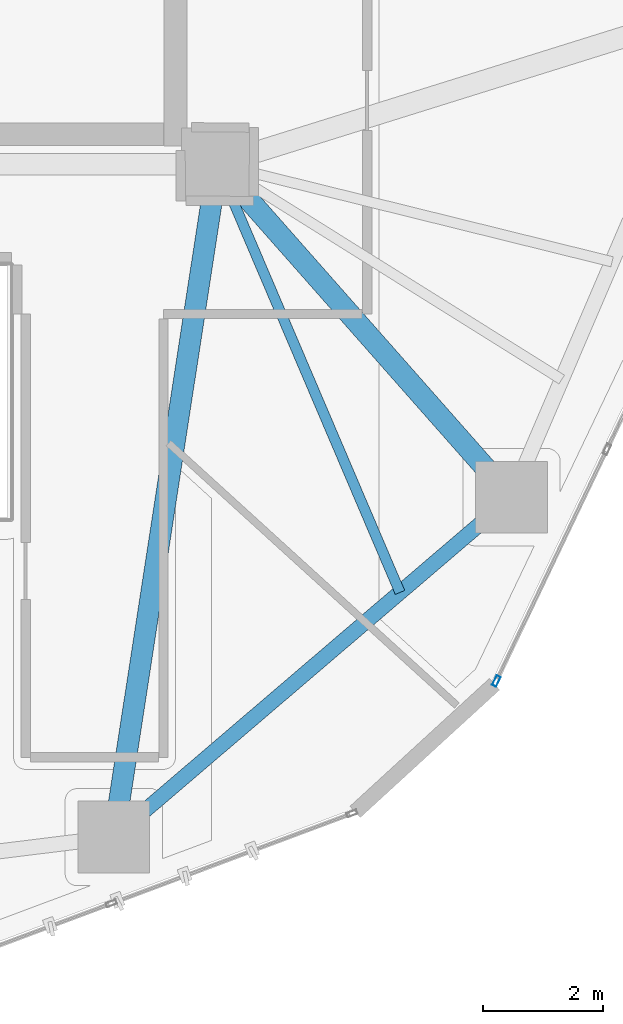
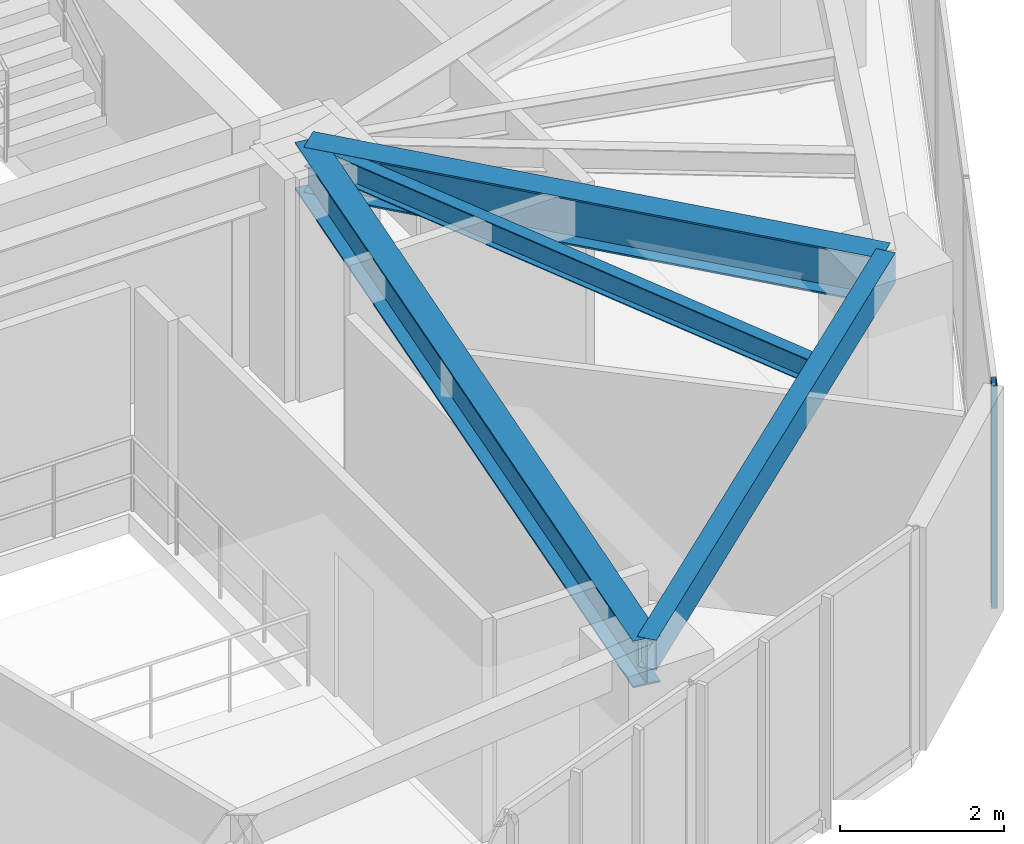
# One storey, part 6 of 22: 4 beams, 1 member, 1 element without a shape of its own.
"""IFC4 building model written with IfcOpenShell, lengths in metres."""

from ifc_helpers import new_model, si_unit, direction, frame, origin, origin_2d, place, context, subcontext, project, spatial, hollow_rectangle, i_section, extrude, source, transform, mapped, material, layer, layer_set, material_profile, profile_set, type_object, type_shapes, element, aggregate, save


model = new_model("IFC4")

# Units and contexts
model_context = context("Model", 3, precision=1e-05, world=origin(), true_north=direction((0.0, 1.0)))
body_context = subcontext(model_context, "Body", "Model", "MODEL_VIEW")
ifc_project = project(units=[si_unit("LENGTHUNIT", "METRE"), si_unit("AREAUNIT", "SQUARE_METRE"), si_unit("VOLUMEUNIT", "CUBIC_METRE"), si_unit("PLANEANGLEUNIT", "RADIAN"), si_unit("MASSUNIT", "GRAM", prefix="KILO")], contexts=[model_context])

# Site, building, storey
site_placement = place(None, origin())
site = spatial("IfcSite", under=ifc_project, at=site_placement, CompositionType="ELEMENT")
building_placement = place(site_placement, origin())
building = spatial("IfcBuilding", under=site, at=building_placement, Name="Talar Marvaseh", CompositionType="ELEMENT")
storey_placement = place(building_placement, frame((0.0, 0.0, 150.60009765625)))
storey = spatial("IfcBuildingStorey", under=building, at=storey_placement, Name="L39", CompositionType="ELEMENT", Elevation=150.60009765625)

# Beams
ifc_material_1 = material(Name="Steel S355", Category="steel")
ifc_material_profile_1 = material_profile(ifc_material_1, hollow_rectangle(XDim=0.25, YDim=0.449951171875, WallThickness=0.01611328125, at=origin_2d()), Name="RHS450x250x16")
ifc_profile_set_1 = profile_set([ifc_material_profile_1], Name="Steel S355")
beam_type_1 = type_object("IfcBeamType", Name="Zone 2 Perimeter Spandrel Beam RHS450x250x16", PredefinedType="SPANDREL", material=ifc_profile_set_1)
beam_1_placement = place(storey_placement, frame((38.2060546875, 19.94091796875, 3.0849609375), z_axis=(-0.76011265597, -0.649791312833, 0.0), x_axis=(0.649791312833, -0.76011265597, 0.0)))
element("IfcBeam", 1, at=beam_1_placement, inside=storey, type_object=beam_type_1, Name="L39 Zone 2 Perimeter Spandrel Beam RHS450x250x16", PredefinedType="SPANDREL", context=body_context, shape_type="SweptSolid", body=[
    extrude(hollow_rectangle(XDim=0.25, YDim=0.449951171875, WallThickness=0.01611328125, at=origin_2d()), origin(), (0.0, 0.0, 1.0), 8.730224609375),
])
ifc_material_profile_2 = material_profile(ifc_material_1, i_section(OverallWidth=0.35498046875, OverallDepth=0.695068359375, WebThickness=0.015380859375, FlangeThickness=0.02490234375, at=origin_2d()), Name="W690x217")
ifc_profile_set_2 = profile_set([ifc_material_profile_2], Name="Steel S355")
beam_type_2 = type_object("IfcBeamType", Name="Zone 2 Radial Floor Girder W690x217", PredefinedType="BEAM", material=ifc_profile_set_2)
beam_2_placement = place(storey_placement, frame((38.2060546875, 19.94091796875, 2.96240234375), z_axis=(-0.661692423388, 0.749775390921, 0.0), x_axis=(-0.749775390921, -0.661692423388, 0.0)))
element("IfcBeam", 2, at=beam_2_placement, inside=storey, type_object=beam_type_2, Name="L39 Zone 2 Radial Floor Girder W690x217", PredefinedType="BEAM", context=body_context, shape_type="SweptSolid", body=[
    extrude(i_section(OverallWidth=0.35498046875, OverallDepth=0.695068359375, WebThickness=0.015380859375, FlangeThickness=0.02490234375, at=origin_2d()), origin(), (0.0, 0.0, 1.0), 7.414306640625),
])
beam_3_placement = place(storey_placement, frame((31.570068359375, 14.26806640625, 2.96240234375), z_axis=(0.152228300633, 0.98834535689, 0.0), x_axis=(-0.98834535689, 0.152228300633, 0.0)))
element("IfcBeam", 3, at=beam_3_placement, inside=storey, type_object=beam_type_2, Name="L39 Zone 2 Radial Floor Girder W690x217", PredefinedType="BEAM", context=body_context, shape_type="SweptSolid", body=[
    extrude(i_section(OverallWidth=0.35498046875, OverallDepth=0.695068359375, WebThickness=0.015380859375, FlangeThickness=0.02490234375, at=origin_2d()), origin(), (0.0, 0.0, 1.0), 11.364501953125),
])
ifc_material_profile_3 = material_profile(ifc_material_1, i_section(OverallWidth=0.172119140625, OverallDepth=0.35791015625, WebThickness=0.0078125, FlangeThickness=0.01318359375, at=origin_2d()), Name="W360x57")
ifc_profile_set_3 = profile_set([ifc_material_profile_3], Name="Steel S355")
beam_type_3 = type_object("IfcBeamType", Name="Zone 2 Secondary Floor Joist W360x57", PredefinedType="JOIST", material=ifc_profile_set_3)
beam_4_placement = place(storey_placement, frame((36.347900390625, 18.3525390625, 3.130859375), z_axis=(-0.39225012708, 0.919858596636, 0.0), x_axis=(-0.919858596636, -0.39225012708, 0.0)))
element("IfcBeam", 4, at=beam_4_placement, inside=storey, type_object=beam_type_3, Name="L39 Zone 2 Secondary Floor Joist W360x57", PredefinedType="JOIST", context=body_context, shape_type="SweptSolid", body=[
    extrude(i_section(OverallWidth=0.172119140625, OverallDepth=0.35791015625, WebThickness=0.0078125, FlangeThickness=0.01318359375, at=origin_2d()), origin(), (0.0, 0.0, 1.0), 7.770263671875),
])

# Curtain wall, member
ifc_material_2 = material(Name="Architectural Aluminium", Category="aluminium")
ifc_layer = layer(ifc_material_2, 0.199951171875)
ifc_layer_set = layer_set([ifc_layer], Name="Architectural Aluminium")
curtain_wall_type = type_object("IfcCurtainWallType", Name="Unitised Acoustic Library Curtain Wall Z2", PredefinedType="NOTDEFINED", material=ifc_layer_set)
curtain_wall_placement = place(storey_placement, origin())
curtain_wall = element("IfcCurtainWall", 5, at=curtain_wall_placement, inside=storey, type_object=curtain_wall_type, Name="L39 Unitised Acoustic Library Curtain Wall Z2", PredefinedType="NOTDEFINED")
ifc_material_profile_4 = material_profile(ifc_material_2, hollow_rectangle(XDim=0.074951171875, YDim=0.179931640625, WallThickness=0.0048828125, at=origin_2d()), Name="RHS180x75x5")
ifc_profile_set_4 = profile_set([ifc_material_profile_4], Name="Architectural Aluminium")
member_type = type_object("IfcMemberType", Name="Unitised Curtain Wall Standard Mullion RHS180x75x5", PredefinedType="MULLION", material=ifc_profile_set_4)
shared_shape = source(origin(), body_context, "Body", "SweptSolid", [
    extrude(hollow_rectangle(XDim=0.074951171875, YDim=0.179931640625, WallThickness=0.0048828125, at=origin_2d()), origin(), (0.0, 0.0, 1.0), 3.309814453125),
])
type_shapes(member_type, [shared_shape])
member_placement = place(storey_placement, frame((37.95556640625, 16.872802734375, 0.0), z_axis=(0.0, 0.0, 1.0), x_axis=(0.902517611259, -0.430652947706, 0.0)))
member = element("IfcMember", 6, at=member_placement, type_object=member_type, Name="CW-Z2 mullion 6", PredefinedType="MULLION", context=body_context, shape_type="MappedRepresentation", body=[
    mapped(shared_shape, transform((0.0, 0.0, 0.0), x_axis=(1.0, 0.0, 0.0), y_axis=(0.0, 1.0, 0.0), z_axis=(0.0, 0.0, 1.0), scale=1.0)),
])
aggregate(curtain_wall, [member])

save(model, "model.ifc")
